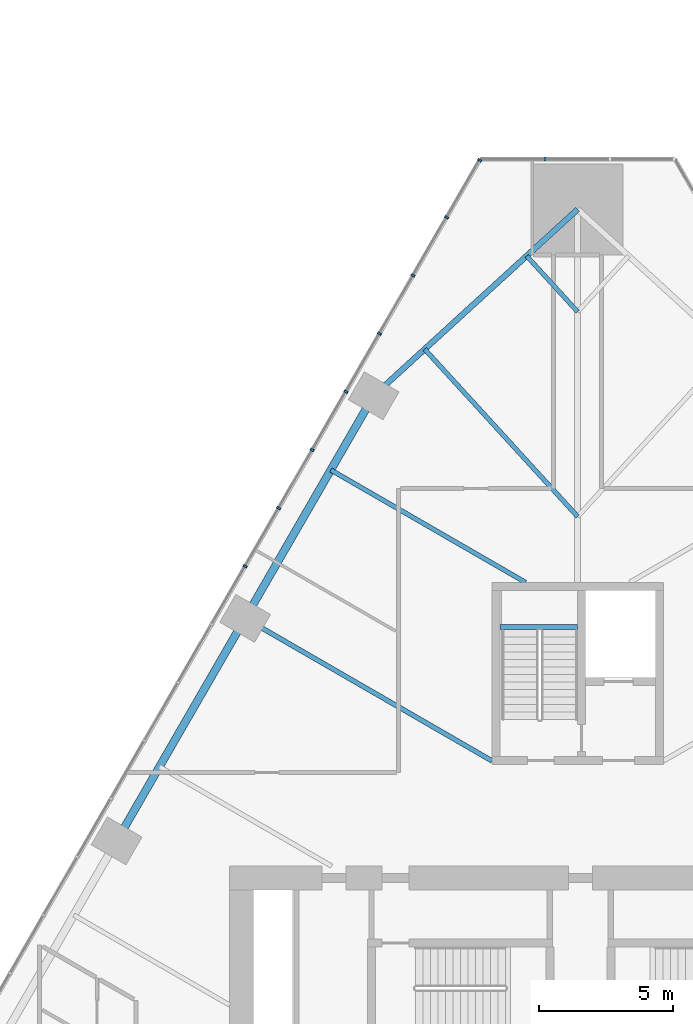
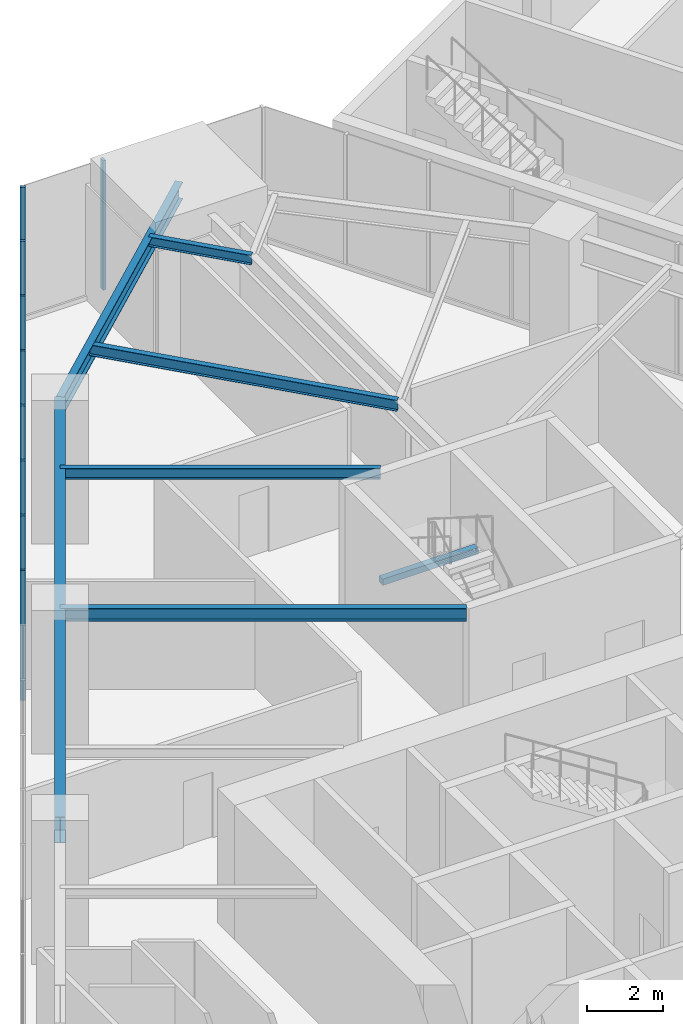
# One storey, part 11 of 30: 9 members, 7 beams, 2 elements without a shape of their own.
"""IFC4 building model written with IfcOpenShell, lengths in metres."""

from ifc_helpers import new_model, si_unit, direction, frame, origin, origin_2d, place, context, subcontext, project, spatial, rectangle, i_section, extrude, material, layer, layer_set, material_profile, profile_set, type_object, element, aggregate, save


model = new_model("IFC4")

# Units and contexts
model_context = context("Model", 3, precision=1e-05, world=origin(), true_north=direction((0.0, 1.0)))
body_context = subcontext(model_context, "Body", "Model", "MODEL_VIEW")
ifc_project = project(units=[si_unit("LENGTHUNIT", "METRE"), si_unit("AREAUNIT", "SQUARE_METRE"), si_unit("VOLUMEUNIT", "CUBIC_METRE"), si_unit("PLANEANGLEUNIT", "RADIAN"), si_unit("MASSUNIT", "GRAM", prefix="KILO")], contexts=[model_context])

# Site, building, storey
site_placement = place(None, origin())
site = spatial("IfcSite", under=ifc_project, at=site_placement, CompositionType="ELEMENT")
building_placement = place(site_placement, origin())
building = spatial("IfcBuilding", under=site, at=building_placement, Name="Firuza Gate Tower and Library", CompositionType="ELEMENT")
storey_placement = place(building_placement, frame((0.0, 0.0, 12.60009765625)))
storey = spatial("IfcBuildingStorey", under=building, at=storey_placement, Name="L02", CompositionType="ELEMENT", Elevation=12.60009765625)

# Curtain wall, member
ifc_material_1 = material(Name="Aluminium 6063-T6", Category="aluminium")
ifc_layer = layer(ifc_material_1, 0.14990234375)
ifc_layer_set = layer_set([ifc_layer], Name="Stick curtain wall, podium")
curtain_wall_type = type_object("IfcCurtainWallType", Name="Stick curtain wall, podium", PredefinedType="NOTDEFINED", material=ifc_layer_set)
placement = place(storey_placement, origin())
curtain_wall_1 = element("IfcCurtainWall", 1, at=placement, inside=storey, type_object=curtain_wall_type, Name="CW5 L02 N", PredefinedType="NOTDEFINED")
ifc_material_2 = material(Name="Aluminium 6063-T6", Category="aluminium")
ifc_material_profile_1 = material_profile(ifc_material_2, rectangle(XDim=0.14990234375, YDim=0.080078125, at=origin_2d()))
ifc_profile_set_1 = profile_set([ifc_material_profile_1], Name="Aluminium 6063-T6")
member_type = type_object("IfcMemberType", Name="Curtain wall mullion 80x150", PredefinedType="MULLION", material=ifc_profile_set_1)
member_1_placement = place(storey_placement, frame((73.78564453125, 110.408935546875, 0.14990234375), z_axis=(0.0, 0.0, 1.0), x_axis=(0.0, -1.0, 0.0)))
member_1 = element("IfcMember", 2, at=member_1_placement, type_object=member_type, Name="Mullion", PredefinedType="MULLION", context=body_context, shape_type="SweptSolid", body=[
    extrude(rectangle(XDim=0.14990234375, YDim=0.080078125, at=origin_2d()), origin(), (0.0, 0.0, 1.0), 4.14990234375),
])
aggregate(curtain_wall_1, [member_1])

# Curtain wall, members
curtain_wall_2 = element("IfcCurtainWall", 3, at=placement, inside=storey, type_object=curtain_wall_type, Name="CW5 L02 W", PredefinedType="NOTDEFINED")
member_2_placement = place(storey_placement, frame((71.336669921875, 110.374267578125, 0.14990234375), z_axis=(0.0, 0.0, 1.0), x_axis=(0.866025403784, -0.5, 0.0)))
member_2 = element("IfcMember", 4, at=member_2_placement, type_object=member_type, Name="Mullion", PredefinedType="MULLION", context=body_context, shape_type="SweptSolid", body=[
    extrude(rectangle(XDim=0.14990234375, YDim=0.080078125, at=origin_2d()), origin(), (0.0, 0.0, 1.0), 4.14990234375),
])
member_3_placement = place(storey_placement, frame((70.1025390625, 108.23681640625, 0.14990234375), z_axis=(0.0, 0.0, 1.0), x_axis=(0.866025403784, -0.5, 0.0)))
member_3 = element("IfcMember", 5, at=member_3_placement, type_object=member_type, Name="Mullion", PredefinedType="MULLION", context=body_context, shape_type="SweptSolid", body=[
    extrude(rectangle(XDim=0.14990234375, YDim=0.080078125, at=origin_2d()), origin(), (0.0, 0.0, 1.0), 4.14990234375),
])
member_4_placement = place(storey_placement, frame((68.8486328125, 106.064697265625, 0.14990234375), z_axis=(0.0, 0.0, 1.0), x_axis=(0.866025403784, -0.5, 0.0)))
member_4 = element("IfcMember", 6, at=member_4_placement, type_object=member_type, Name="Mullion", PredefinedType="MULLION", context=body_context, shape_type="SweptSolid", body=[
    extrude(rectangle(XDim=0.14990234375, YDim=0.080078125, at=origin_2d()), origin(), (0.0, 0.0, 1.0), 4.14990234375),
])
member_5_placement = place(storey_placement, frame((67.594482421875, 103.892578125, 0.14990234375), z_axis=(0.0, 0.0, 1.0), x_axis=(0.866025403784, -0.5, 0.0)))
member_5 = element("IfcMember", 7, at=member_5_placement, type_object=member_type, Name="Mullion", PredefinedType="MULLION", context=body_context, shape_type="SweptSolid", body=[
    extrude(rectangle(XDim=0.14990234375, YDim=0.080078125, at=origin_2d()), origin(), (0.0, 0.0, 1.0), 4.14990234375),
])
member_6_placement = place(storey_placement, frame((66.340576171875, 101.720458984375, 0.14990234375), z_axis=(0.0, 0.0, 1.0), x_axis=(0.866025403784, -0.5, 0.0)))
member_6 = element("IfcMember", 8, at=member_6_placement, type_object=member_type, Name="Mullion", PredefinedType="MULLION", context=body_context, shape_type="SweptSolid", body=[
    extrude(rectangle(XDim=0.14990234375, YDim=0.080078125, at=origin_2d()), origin(), (0.0, 0.0, 1.0), 4.14990234375),
])
member_7_placement = place(storey_placement, frame((65.08642578125, 99.54833984375, 0.14990234375), z_axis=(0.0, 0.0, 1.0), x_axis=(0.866025403784, -0.5, 0.0)))
member_7 = element("IfcMember", 9, at=member_7_placement, type_object=member_type, Name="Mullion", PredefinedType="MULLION", context=body_context, shape_type="SweptSolid", body=[
    extrude(rectangle(XDim=0.14990234375, YDim=0.080078125, at=origin_2d()), origin(), (0.0, 0.0, 1.0), 4.14990234375),
])
member_8_placement = place(storey_placement, frame((63.832275390625, 97.376220703125, 0.14990234375), z_axis=(0.0, 0.0, 1.0), x_axis=(0.866025403784, -0.5, 0.0)))
member_8 = element("IfcMember", 10, at=member_8_placement, type_object=member_type, Name="Mullion", PredefinedType="MULLION", context=body_context, shape_type="SweptSolid", body=[
    extrude(rectangle(XDim=0.14990234375, YDim=0.080078125, at=origin_2d()), origin(), (0.0, 0.0, 1.0), 4.14990234375),
])
member_9_placement = place(storey_placement, frame((62.578369140625, 95.2041015625, 0.14990234375), z_axis=(0.0, 0.0, 1.0), x_axis=(0.866025403784, -0.5, 0.0)))
member_9 = element("IfcMember", 11, at=member_9_placement, type_object=member_type, Name="Mullion", PredefinedType="MULLION", context=body_context, shape_type="SweptSolid", body=[
    extrude(rectangle(XDim=0.14990234375, YDim=0.080078125, at=origin_2d()), origin(), (0.0, 0.0, 1.0), 4.14990234375),
])
aggregate(curtain_wall_2, [member_2, member_3, member_4, member_5, member_6, member_7, member_8, member_9])

# Beams
ifc_material_3 = material(Name="Concrete C35/45", Category="concrete")
ifc_material_profile_2 = material_profile(ifc_material_3, rectangle(XDim=0.199951171875, YDim=0.199951171875, at=origin_2d()))
ifc_profile_set_2 = profile_set([ifc_material_profile_2], Name="Concrete C35/45")
beam_type_1 = type_object("IfcBeamType", Name="Stair landing bearer 200x200", PredefinedType="BEAM", material=ifc_profile_set_2)
beam_1_placement = place(storey_placement, frame((75.0, 92.929931640625, 2.0), z_axis=(-1.0, 0.0, 0.0), x_axis=(0.0, -1.0, 0.0)))
element("IfcBeam", 12, at=beam_1_placement, inside=storey, type_object=beam_type_1, Name="Landing bearer L02 stair 3", PredefinedType="BEAM", context=body_context, shape_type="SweptSolid", body=[
    extrude(rectangle(XDim=0.199951171875, YDim=0.199951171875, at=origin_2d()), origin(), (0.0, 0.0, 1.0), 2.89990234375),
])
ifc_material_4 = material(Name="Steel S355", Category="steel")
ifc_material_profile_3 = material_profile(ifc_material_4, i_section(OverallWidth=0.1650390625, OverallDepth=0.31005859375, WebThickness=0.005859375, FlangeThickness=0.009765625, at=origin_2d()))
ifc_profile_set_3 = profile_set([ifc_material_profile_3], Name="Steel S355")
beam_type_2 = type_object("IfcBeamType", Name="W310x39 Floor beam", PredefinedType="JOIST", material=ifc_profile_set_3)
beam_2_placement = place(storey_placement, frame((73.094970703125, 106.79296875, 4.14501953125), z_axis=(0.674533736892, -0.738244023203, 0.0), x_axis=(0.738244023203, 0.674533736892, 0.0)))
element("IfcBeam", 13, at=beam_2_placement, inside=storey, type_object=beam_type_2, Name="Floor beam L02 s90", PredefinedType="JOIST", context=body_context, shape_type="SweptSolid", body=[
    extrude(i_section(OverallWidth=0.1650390625, OverallDepth=0.31005859375, WebThickness=0.005859375, FlangeThickness=0.009765625, at=origin_2d()), origin(), (0.0, 0.0, 1.0), 2.82421875),
])
ifc_material_5 = material(Name="Steel S355", Category="steel")
ifc_material_profile_4 = material_profile(ifc_material_5, i_section(OverallWidth=0.1708984375, OverallDepth=0.35498046875, WebThickness=0.007080078125, FlangeThickness=0.01171875, at=origin_2d()))
ifc_profile_set_4 = profile_set([ifc_material_profile_4], Name="Steel S355")
beam_type_3 = type_object("IfcBeamType", Name="W360x51 Floor beam", PredefinedType="JOIST", material=ifc_profile_set_4)
beam_3_placement = place(storey_placement, frame((69.28466796875, 103.31103515625, 4.122314453125), z_axis=(0.674578139258, -0.7382034503, 0.0), x_axis=(0.7382034503, 0.674578139258, 0.0)))
element("IfcBeam", 14, at=beam_3_placement, inside=storey, type_object=beam_type_3, Name="Floor beam L02 s91", PredefinedType="JOIST", context=body_context, shape_type="SweptSolid", body=[
    extrude(i_section(OverallWidth=0.1708984375, OverallDepth=0.35498046875, WebThickness=0.007080078125, FlangeThickness=0.01171875, at=origin_2d()), origin(), (0.0, 0.0, 1.0), 8.472412109375),
])
beam_4_placement = place(storey_placement, frame((65.779541015625, 98.798828125, 4.122314453125), z_axis=(0.866019517829, -0.500010194636, 0.0), x_axis=(0.500010194636, 0.866019517829, 0.0)))
element("IfcBeam", 15, at=beam_4_placement, inside=storey, type_object=beam_type_3, Name="Floor beam L02 s100", PredefinedType="JOIST", context=body_context, shape_type="SweptSolid", body=[
    extrude(i_section(OverallWidth=0.1708984375, OverallDepth=0.35498046875, WebThickness=0.007080078125, FlangeThickness=0.01171875, at=origin_2d()), origin(), (0.0, 0.0, 1.0), 8.397216796875),
])
ifc_material_6 = material(Name="Steel S355", Category="steel")
ifc_material_profile_5 = material_profile(ifc_material_6, i_section(OverallWidth=0.177978515625, OverallDepth=0.406982421875, WebThickness=0.0078125, FlangeThickness=0.0126953125, at=origin_2d()))
ifc_profile_set_5 = profile_set([ifc_material_profile_5], Name="Steel S355")
beam_type_4 = type_object("IfcBeamType", Name="W410x60 Floor beam", PredefinedType="JOIST", material=ifc_profile_set_5)
beam_5_placement = place(storey_placement, frame((62.579345703125, 93.256103515625, 4.096435546875), z_axis=(0.866029027547, -0.499993723407, 0.0), x_axis=(0.499993723407, 0.866029027547, 0.0)))
element("IfcBeam", 16, at=beam_5_placement, inside=storey, type_object=beam_type_4, Name="Floor beam L02 s101", PredefinedType="JOIST", context=body_context, shape_type="SweptSolid", body=[
    extrude(i_section(OverallWidth=0.177978515625, OverallDepth=0.406982421875, WebThickness=0.0078125, FlangeThickness=0.0126953125, at=origin_2d()), origin(), (0.0, 0.0, 1.0), 10.647216796875),
])
ifc_material_7 = material(Name="Steel S355", Category="steel")
ifc_material_profile_6 = material_profile(ifc_material_7, i_section(OverallWidth=0.212890625, OverallDepth=0.5390625, WebThickness=0.01171875, FlangeThickness=0.018798828125, at=origin_2d()))
ifc_profile_set_6 = profile_set([ifc_material_profile_6], Name="Steel S355")
beam_type_5 = type_object("IfcBeamType", Name="W530x109 Edge beam", PredefinedType="SPANDREL", material=ifc_profile_set_6)
beam_6_placement = place(storey_placement, frame((75.0, 108.533935546875, 4.030517578125), z_axis=(-0.738199730284, -0.674582210118, 0.0), x_axis=(0.674582210118, -0.738199730284, 0.0)))
element("IfcBeam", 17, at=beam_6_placement, inside=storey, type_object=beam_type_5, Name="Edge beam L02 e90", PredefinedType="SPANDREL", context=body_context, shape_type="SweptSolid", body=[
    extrude(i_section(OverallWidth=0.212890625, OverallDepth=0.5390625, WebThickness=0.01171875, FlangeThickness=0.018798828125, at=origin_2d()), origin(), (0.0, 0.0, 1.0), 10.3232421875),
])
ifc_material_8 = material(Name="Steel S355", Category="steel")
ifc_material_profile_7 = material_profile(ifc_material_8, i_section(OverallWidth=0.2919921875, OverallDepth=0.8349609375, WebThickness=0.013916015625, FlangeThickness=0.018798828125, at=origin_2d()))
ifc_profile_set_7 = profile_set([ifc_material_profile_7], Name="Steel S355")
beam_type_6 = type_object("IfcBeamType", Name="W840x176 Edge beam", PredefinedType="SPANDREL", material=ifc_profile_set_7)
beam_7_placement = place(storey_placement, frame((67.37939453125, 101.570068359375, 3.88232421875), z_axis=(-0.499994327668, -0.866028678682, 0.0), x_axis=(0.866028678682, -0.499994327668, 0.0)))
element("IfcBeam", 18, at=beam_7_placement, inside=storey, type_object=beam_type_6, Name="Edge beam L02 e100", PredefinedType="SPANDREL", context=body_context, shape_type="SweptSolid", body=[
    extrude(i_section(OverallWidth=0.2919921875, OverallDepth=0.8349609375, WebThickness=0.013916015625, FlangeThickness=0.018798828125, at=origin_2d()), origin(), (0.0, 0.0, 1.0), 19.199951171875),
])

save(model, "model.ifc")
